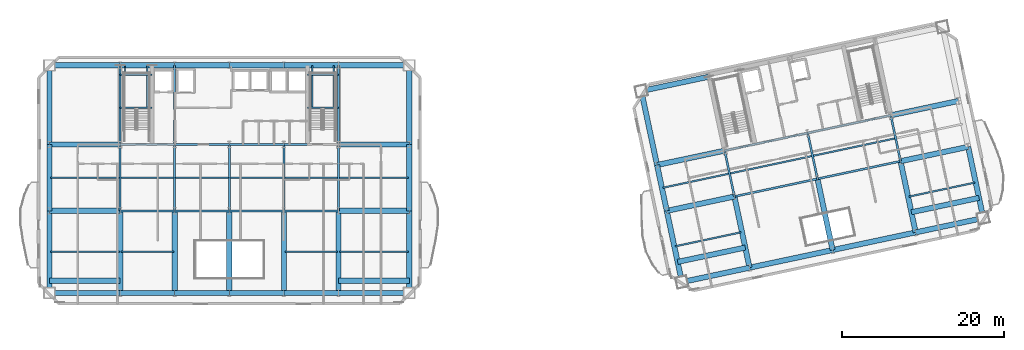
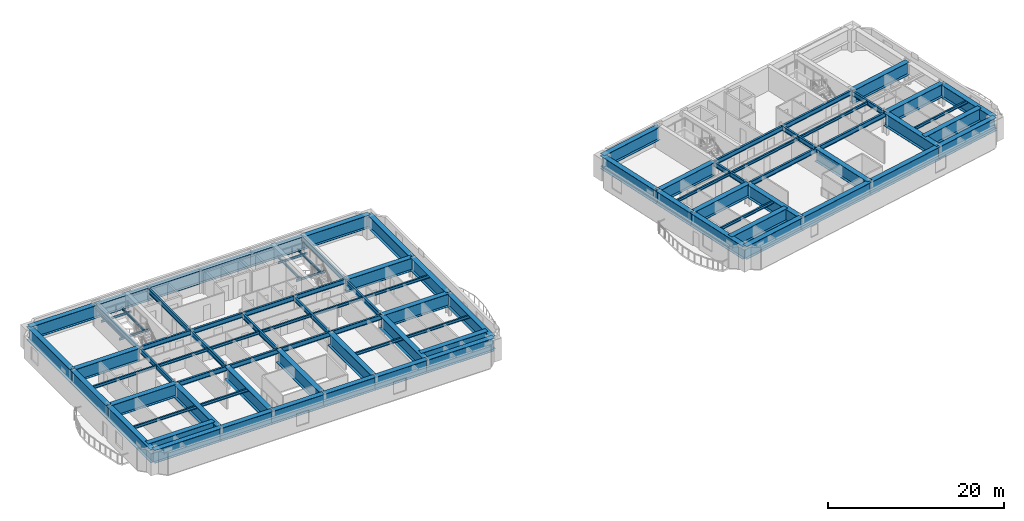
# One storey, part 3 of 15: 93 beams.
"""IFC4 building model written with IfcOpenShell, lengths in metres."""

from ifc_helpers import new_model, si_unit, direction, frame, origin, origin_2d, place, context, subcontext, project, spatial, i_section, extrude, material, material_profile, profile_set, type_object, element, save


model = new_model("IFC4")

# Units and contexts
model_context = context("Model", 3, precision=1e-05, world=origin(), true_north=direction((0.0, 1.0)))
body_context = subcontext(model_context, "Body", "Model", "MODEL_VIEW")
ifc_project = project(units=[si_unit("LENGTHUNIT", "METRE"), si_unit("AREAUNIT", "SQUARE_METRE"), si_unit("VOLUMEUNIT", "CUBIC_METRE"), si_unit("PLANEANGLEUNIT", "RADIAN"), si_unit("MASSUNIT", "GRAM", prefix="KILO")], contexts=[model_context])

# Site, building, storey
site_placement = place(None, origin())
site = spatial("IfcSite", under=ifc_project, at=site_placement, CompositionType="ELEMENT")
building_placement = place(site_placement, origin())
building = spatial("IfcBuilding", under=site, at=building_placement, Name="Haevon Station Towers", CompositionType="ELEMENT")
storey_placement = place(building_placement, frame((0.0, 0.0, 109.800048828125)))
storey = spatial("IfcBuildingStorey", under=building, at=storey_placement, Name="L29", CompositionType="ELEMENT", Elevation=109.800048828125)

# Beams
ifc_material_1 = material(Name="Steel S355", Category="steel")
ifc_material_profile_1 = material_profile(ifc_material_1, i_section(OverallWidth=0.25, OverallDepth=0.64990234375, WebThickness=0.012939453125, FlangeThickness=0.02197265625, at=origin_2d()), Name="H-650x250x13x22")
ifc_profile_set_1 = profile_set([ifc_material_profile_1], Name="Steel S355")
beam_type_1 = type_object("IfcBeamType", Name="BM-G650", PredefinedType="BEAM", material=ifc_profile_set_1)
for number, where, z_axis, x_axis, name in (
    (1, (24.0, 30.0, 2.724853515625), (1.0, 0.0, 0.0), (0.0, 1.0, 0.0), "BM-T1U-L29-02-02"),
    (2, (30.75, 30.0, 2.724853515625), (1.0, 0.0, 0.0), (0.0, 1.0, 0.0), "BM-T1U-L29-02-03"),
    (3, (37.5, 30.0, 2.724853515625), (1.0, 0.0, 0.0), (0.0, 1.0, 0.0), "BM-T1U-L29-02-04"),
    (4, (44.25, 30.0, 2.724853515625), (1.0, 0.0, 0.0), (0.0, 1.0, 0.0), "BM-T1U-L29-02-05"),
    (5, (24.0, 38.199951171875, 2.724853515625), (1.0, 0.0, 0.0), (0.0, 1.0, 0.0), "BM-T1U-L29-03-02"),
    (6, (30.75, 38.199951171875, 2.724853515625), (1.0, 0.0, 0.0), (0.0, 1.0, 0.0), "BM-T1U-L29-03-03"),
    (7, (37.5, 38.199951171875, 2.724853515625), (1.0, 0.0, 0.0), (0.0, 1.0, 0.0), "BM-T1U-L29-03-04"),
    (8, (44.25, 38.199951171875, 2.724853515625), (1.0, 0.0, 0.0), (0.0, 1.0, 0.0), "BM-T1U-L29-03-05"),
):
    element("IfcBeam", number, at=place(storey_placement, frame(where, z_axis=z_axis, x_axis=x_axis)), inside=storey, type_object=beam_type_1, Name=name, PredefinedType="BEAM", context=body_context, shape_type="SweptSolid", body=[
        extrude(i_section(OverallWidth=0.25, OverallDepth=0.64990234375, WebThickness=0.012939453125, FlangeThickness=0.02197265625, at=origin_2d()), origin(), (0.0, 0.0, 1.0), 6.75),
    ])
beam_1_placement = place(storey_placement, frame((24.0, 30.0, 2.724853515625), z_axis=(0.0, 1.0, 0.0), x_axis=(-1.0, 0.0, 0.0)))
element("IfcBeam", 9, at=beam_1_placement, inside=storey, type_object=beam_type_1, Name="BM-T1V-L29-02-02", PredefinedType="BEAM", context=body_context, shape_type="SweptSolid", body=[
    extrude(i_section(OverallWidth=0.25, OverallDepth=0.64990234375, WebThickness=0.012939453125, FlangeThickness=0.02197265625, at=origin_2d()), origin(), (0.0, 0.0, 1.0), 8.199951171875),
])
beam_2_placement = place(storey_placement, frame((24.0, 38.199951171875, 2.724853515625), z_axis=(0.0, 1.0, 0.0), x_axis=(-1.0, 0.0, 0.0)))
element("IfcBeam", 10, at=beam_2_placement, inside=storey, type_object=beam_type_1, Name="BM-T1V-L29-02-03", PredefinedType="BEAM", context=body_context, shape_type="SweptSolid", body=[
    extrude(i_section(OverallWidth=0.25, OverallDepth=0.64990234375, WebThickness=0.012939453125, FlangeThickness=0.02197265625, at=origin_2d()), origin(), (0.0, 0.0, 1.0), 9.800048828125),
])
beam_3_placement = place(storey_placement, frame((30.75, 30.0, 2.724853515625), z_axis=(0.0, 1.0, 0.0), x_axis=(-1.0, 0.0, 0.0)))
element("IfcBeam", 11, at=beam_3_placement, inside=storey, type_object=beam_type_1, Name="BM-T1V-L29-03-02", PredefinedType="BEAM", context=body_context, shape_type="SweptSolid", body=[
    extrude(i_section(OverallWidth=0.25, OverallDepth=0.64990234375, WebThickness=0.012939453125, FlangeThickness=0.02197265625, at=origin_2d()), origin(), (0.0, 0.0, 1.0), 8.199951171875),
])
beam_4_placement = place(storey_placement, frame((30.75, 38.199951171875, 2.724853515625), z_axis=(0.0, 1.0, 0.0), x_axis=(-1.0, 0.0, 0.0)))
element("IfcBeam", 12, at=beam_4_placement, inside=storey, type_object=beam_type_1, Name="BM-T1V-L29-03-03", PredefinedType="BEAM", context=body_context, shape_type="SweptSolid", body=[
    extrude(i_section(OverallWidth=0.25, OverallDepth=0.64990234375, WebThickness=0.012939453125, FlangeThickness=0.02197265625, at=origin_2d()), origin(), (0.0, 0.0, 1.0), 9.800048828125),
])
for number, where, z_axis, x_axis, name in (
    (13, (37.5, 30.0, 2.724853515625), (0.0, 1.0, 0.0), (-1.0, 0.0, 0.0), "BM-T1V-L29-04-02"),
    (14, (44.25, 30.0, 2.724853515625), (0.0, 1.0, 0.0), (-1.0, 0.0, 0.0), "BM-T1V-L29-05-02"),
    (15, (51.0, 30.0, 2.724853515625), (0.0, 1.0, 0.0), (-1.0, 0.0, 0.0), "BM-T1V-L29-06-02"),
):
    element("IfcBeam", number, at=place(storey_placement, frame(where, z_axis=z_axis, x_axis=x_axis)), inside=storey, type_object=beam_type_1, Name=name, PredefinedType="BEAM", context=body_context, shape_type="SweptSolid", body=[
        extrude(i_section(OverallWidth=0.25, OverallDepth=0.64990234375, WebThickness=0.012939453125, FlangeThickness=0.02197265625, at=origin_2d()), origin(), (0.0, 0.0, 1.0), 8.199951171875),
    ])
beam_5_placement = place(storey_placement, frame((51.0, 38.199951171875, 2.724853515625), z_axis=(0.0, 1.0, 0.0), x_axis=(-1.0, 0.0, 0.0)))
element("IfcBeam", 16, at=beam_5_placement, inside=storey, type_object=beam_type_1, Name="BM-T1V-L29-06-03", PredefinedType="BEAM", context=body_context, shape_type="SweptSolid", body=[
    extrude(i_section(OverallWidth=0.25, OverallDepth=0.64990234375, WebThickness=0.012939453125, FlangeThickness=0.02197265625, at=origin_2d()), origin(), (0.0, 0.0, 1.0), 9.800048828125),
])
for number, where, z_axis, x_axis, name in (
    (17, (99.958251953125, 31.76904296875, 2.724853515625), (0.978146794194, 0.207915485254, 0.0), (-0.207915485254, 0.978146794194, 0.0), "BM-T2U-L29-02-02"),
    (18, (110.228759765625, 33.9521484375, 2.724853515625), (0.978146794194, 0.207915485254, 0.0), (-0.207915485254, 0.978146794194, 0.0), "BM-T2U-L29-02-03"),
    (19, (98.75244140625, 37.4423828125, 2.724853515625), (0.978146794194, 0.207915485254, 0.0), (-0.207915485254, 0.978146794194, 0.0), "BM-T2U-L29-03-02"),
    (20, (109.02294921875, 39.62548828125, 2.724853515625), (0.978146794194, 0.207915485254, 0.0), (-0.207915485254, 0.978146794194, 0.0), "BM-T2U-L29-03-03"),
):
    element("IfcBeam", number, at=place(storey_placement, frame(where, z_axis=z_axis, x_axis=x_axis)), inside=storey, type_object=beam_type_1, Name=name, PredefinedType="BEAM", context=body_context, shape_type="SweptSolid", body=[
        extrude(i_section(OverallWidth=0.25, OverallDepth=0.64990234375, WebThickness=0.012939453125, FlangeThickness=0.02197265625, at=origin_2d()), origin(), (0.0, 0.0, 1.0), 10.5),
    ])
for number, where, z_axis, x_axis, name in (
    (21, (99.958251953125, 31.76904296875, 2.724853515625), (-0.207896009217, 0.97815093383, 0.0), (-0.97815093383, -0.207896009217, 0.0), "BM-T2V-L29-02-02"),
    (22, (110.228759765625, 33.9521484375, 2.724853515625), (-0.207896009217, 0.97815093383, 0.0), (-0.97815093383, -0.207896009217, 0.0), "BM-T2V-L29-03-02"),
    (23, (120.499267578125, 36.13525390625, 2.724853515625), (-0.207896009217, 0.97815093383, 0.0), (-0.97815093383, -0.207896009217, 0.0), "BM-T2V-L29-04-02"),
):
    element("IfcBeam", number, at=place(storey_placement, frame(where, z_axis=z_axis, x_axis=x_axis)), inside=storey, type_object=beam_type_1, Name=name, PredefinedType="BEAM", context=body_context, shape_type="SweptSolid", body=[
        extrude(i_section(OverallWidth=0.25, OverallDepth=0.64990234375, WebThickness=0.012939453125, FlangeThickness=0.02197265625, at=origin_2d()), origin(), (0.0, 0.0, 1.0), 5.800048828125),
    ])
ifc_material_profile_2 = material_profile(ifc_material_1, i_section(OverallWidth=0.199951171875, OverallDepth=0.39990234375, WebThickness=0.008056640625, FlangeThickness=0.012939453125, at=origin_2d()), Name="H-400x200x8x13")
ifc_profile_set_2 = profile_set([ifc_material_profile_2], Name="Steel S355")
beam_type_2 = type_object("IfcBeamType", Name="BM-J400", PredefinedType="JOIST", material=ifc_profile_set_2)
beam_6_placement = place(storey_placement, frame((15.360107421875, 24.925048828125, 2.849853515625), z_axis=(1.0, 0.0, 0.0), x_axis=(0.0, 1.0, 0.0)))
element("IfcBeam", 24, at=beam_6_placement, inside=storey, type_object=beam_type_2, Name="BM-T1J-L29-01-01", PredefinedType="JOIST", context=body_context, shape_type="SweptSolid", body=[
    extrude(i_section(OverallWidth=0.199951171875, OverallDepth=0.39990234375, WebThickness=0.008056640625, FlangeThickness=0.012939453125, at=origin_2d()), origin(), (0.0, 0.0, 1.0), 8.52978515625),
])
for number, where, z_axis, x_axis, name in (
    (25, (24.110107421875, 24.925048828125, 2.849853515625), (1.0, 0.0, 0.0), (0.0, 1.0, 0.0), "BM-T1J-L29-01-02"),
    (26, (44.360107421875, 24.925048828125, 2.849853515625), (1.0, 0.0, 0.0), (0.0, 1.0, 0.0), "BM-T1J-L29-01-05"),
):
    element("IfcBeam", number, at=place(storey_placement, frame(where, z_axis=z_axis, x_axis=x_axis)), inside=storey, type_object=beam_type_2, Name=name, PredefinedType="JOIST", context=body_context, shape_type="SweptSolid", body=[
        extrude(i_section(OverallWidth=0.199951171875, OverallDepth=0.39990234375, WebThickness=0.008056640625, FlangeThickness=0.012939453125, at=origin_2d()), origin(), (0.0, 0.0, 1.0), 6.52978515625),
    ])
for number, where, z_axis, x_axis, name in (
    (27, (51.110107421875, 24.925048828125, 2.849853515625), (1.0, 0.0, 0.0), (0.0, 1.0, 0.0), "BM-T1J-L29-01-06"),
    (28, (15.360107421875, 34.10009765625, 2.849853515625), (1.0, 0.0, 0.0), (0.0, 1.0, 0.0), "BM-T1J-L29-02-01"),
):
    element("IfcBeam", number, at=place(storey_placement, frame(where, z_axis=z_axis, x_axis=x_axis)), inside=storey, type_object=beam_type_2, Name=name, PredefinedType="JOIST", context=body_context, shape_type="SweptSolid", body=[
        extrude(i_section(OverallWidth=0.199951171875, OverallDepth=0.39990234375, WebThickness=0.008056640625, FlangeThickness=0.012939453125, at=origin_2d()), origin(), (0.0, 0.0, 1.0), 8.52978515625),
    ])
for number, where, z_axis, x_axis, name in (
    (29, (24.110107421875, 34.10009765625, 2.849853515625), (1.0, 0.0, 0.0), (0.0, 1.0, 0.0), "BM-T1J-L29-02-02"),
    (30, (30.860107421875, 34.10009765625, 2.849853515625), (1.0, 0.0, 0.0), (0.0, 1.0, 0.0), "BM-T1J-L29-02-03"),
    (31, (37.610107421875, 34.10009765625, 2.849853515625), (1.0, 0.0, 0.0), (0.0, 1.0, 0.0), "BM-T1J-L29-02-04"),
    (32, (44.360107421875, 34.10009765625, 2.849853515625), (1.0, 0.0, 0.0), (0.0, 1.0, 0.0), "BM-T1J-L29-02-05"),
):
    element("IfcBeam", number, at=place(storey_placement, frame(where, z_axis=z_axis, x_axis=x_axis)), inside=storey, type_object=beam_type_2, Name=name, PredefinedType="JOIST", context=body_context, shape_type="SweptSolid", body=[
        extrude(i_section(OverallWidth=0.199951171875, OverallDepth=0.39990234375, WebThickness=0.008056640625, FlangeThickness=0.012939453125, at=origin_2d()), origin(), (0.0, 0.0, 1.0), 6.52978515625),
    ])
beam_7_placement = place(storey_placement, frame((51.110107421875, 34.10009765625, 2.849853515625), z_axis=(1.0, 0.0, 0.0), x_axis=(0.0, 1.0, 0.0)))
element("IfcBeam", 33, at=beam_7_placement, inside=storey, type_object=beam_type_2, Name="BM-T1J-L29-02-06", PredefinedType="JOIST", context=body_context, shape_type="SweptSolid", body=[
    extrude(i_section(OverallWidth=0.199951171875, OverallDepth=0.39990234375, WebThickness=0.008056640625, FlangeThickness=0.012939453125, at=origin_2d()), origin(), (0.0, 0.0, 1.0), 8.52978515625),
])
for number, where, z_axis, x_axis, name in (
    (34, (92.63818359375, 25.61279296875, 2.849853515625), (0.978146782292, 0.207915541247, 0.0), (-0.207915541247, 0.978146782292, 0.0), "BM-T2J-L29-01-01"),
    (35, (121.54248046875, 31.756591796875, 2.849853515625), (0.978146782292, 0.207915541247, 0.0), (-0.207915541247, 0.978146782292, 0.0), "BM-T2J-L29-01-04"),
):
    element("IfcBeam", number, at=place(storey_placement, frame(where, z_axis=z_axis, x_axis=x_axis)), inside=storey, type_object=beam_type_2, Name=name, PredefinedType="JOIST", context=body_context, shape_type="SweptSolid", body=[
        extrude(i_section(OverallWidth=0.199951171875, OverallDepth=0.39990234375, WebThickness=0.008056640625, FlangeThickness=0.012939453125, at=origin_2d()), origin(), (0.0, 0.0, 1.0), 8.330078125),
    ])
beam_8_placement = place(storey_placement, frame((91.099609375, 32.85107421875, 2.849853515625), z_axis=(0.978148049217, 0.207909580858, 0.0), x_axis=(-0.207909580858, 0.978148049217, 0.0)))
element("IfcBeam", 36, at=beam_8_placement, inside=storey, type_object=beam_type_2, Name="BM-T2J-L29-02-01", PredefinedType="JOIST", context=body_context, shape_type="SweptSolid", body=[
    extrude(i_section(OverallWidth=0.199951171875, OverallDepth=0.39990234375, WebThickness=0.008056640625, FlangeThickness=0.012939453125, at=origin_2d()), origin(), (0.0, 0.0, 1.0), 8.330322265625),
])
for number, where, z_axis, x_axis, name in (
    (37, (99.462890625, 34.628662109375, 2.849853515625), (0.978150339653, 0.207898804801, 0.0), (-0.207898804801, 0.978150339653, 0.0), "BM-T2J-L29-02-02"),
    (38, (109.7333984375, 36.811767578125, 2.849853515625), (0.978150339653, 0.207898804801, 0.0), (-0.207898804801, 0.978150339653, 0.0), "BM-T2J-L29-02-03"),
):
    element("IfcBeam", number, at=place(storey_placement, frame(where, z_axis=z_axis, x_axis=x_axis)), inside=storey, type_object=beam_type_2, Name=name, PredefinedType="JOIST", context=body_context, shape_type="SweptSolid", body=[
        extrude(i_section(OverallWidth=0.199951171875, OverallDepth=0.39990234375, WebThickness=0.008056640625, FlangeThickness=0.012939453125, at=origin_2d()), origin(), (0.0, 0.0, 1.0), 10.280029296875),
    ])
ifc_material_profile_3 = material_profile(ifc_material_1, i_section(OverallWidth=0.14990234375, OverallDepth=0.300048828125, WebThickness=0.006591796875, FlangeThickness=0.009033203125, at=origin_2d()), Name="H-300x150x6.5x9")
ifc_profile_set_3 = profile_set([ifc_material_profile_3], Name="Steel S355")
beam_type_3 = type_object("IfcBeamType", Name="BM-LIN300", PredefinedType="LINTEL", material=ifc_profile_set_3)
for number, where, z_axis, x_axis, name in (
    (39, (24.0, 42.743896484375, 1.300048828125), (1.0, 0.0, 0.0), (0.0, 1.0, 0.0), "BM-ST1L-L29-1-S"),
    (40, (24.0, 46.820068359375, 1.300048828125), (1.0, 0.0, 0.0), (0.0, 1.0, 0.0), "BM-ST1L-L29-1-N"),
):
    element("IfcBeam", number, at=place(storey_placement, frame(where, z_axis=z_axis, x_axis=x_axis)), inside=storey, type_object=beam_type_3, Name=name, PredefinedType="LINTEL", context=body_context, shape_type="SweptSolid", body=[
        extrude(i_section(OverallWidth=0.14990234375, OverallDepth=0.300048828125, WebThickness=0.006591796875, FlangeThickness=0.009033203125, at=origin_2d()), origin(), (0.0, 0.0, 1.0), 3.949951171875),
    ])
for number, where, z_axis, x_axis, name in (
    (41, (24.60009765625, 42.743896484375, 1.300048828125), (0.0, 1.0, 0.0), (-1.0, 0.0, 0.0), "BM-ST1L-L29-1-W"),
    (42, (27.35009765625, 42.743896484375, 1.300048828125), (0.0, 1.0, 0.0), (-1.0, 0.0, 0.0), "BM-ST1L-L29-1-E"),
):
    element("IfcBeam", number, at=place(storey_placement, frame(where, z_axis=z_axis, x_axis=x_axis)), inside=storey, type_object=beam_type_3, Name=name, PredefinedType="LINTEL", context=body_context, shape_type="SweptSolid", body=[
        extrude(i_section(OverallWidth=0.14990234375, OverallDepth=0.300048828125, WebThickness=0.006591796875, FlangeThickness=0.009033203125, at=origin_2d()), origin(), (0.0, 0.0, 1.0), 5.256103515625),
    ])
for number, where, z_axis, x_axis, name in (
    (43, (47.14990234375, 42.743896484375, 1.300048828125), (1.0, 0.0, 0.0), (0.0, 1.0, 0.0), "BM-ST2L-L29-1-S"),
    (44, (47.14990234375, 46.820068359375, 1.300048828125), (1.0, 0.0, 0.0), (0.0, 1.0, 0.0), "BM-ST2L-L29-1-N"),
):
    element("IfcBeam", number, at=place(storey_placement, frame(where, z_axis=z_axis, x_axis=x_axis)), inside=storey, type_object=beam_type_3, Name=name, PredefinedType="LINTEL", context=body_context, shape_type="SweptSolid", body=[
        extrude(i_section(OverallWidth=0.14990234375, OverallDepth=0.300048828125, WebThickness=0.006591796875, FlangeThickness=0.009033203125, at=origin_2d()), origin(), (0.0, 0.0, 1.0), 3.85009765625),
    ])
for number, where, z_axis, x_axis, name in (
    (45, (47.75, 42.743896484375, 1.300048828125), (0.0, 1.0, 0.0), (-1.0, 0.0, 0.0), "BM-ST2L-L29-1-W"),
    (46, (50.39990234375, 42.743896484375, 1.300048828125), (0.0, 1.0, 0.0), (-1.0, 0.0, 0.0), "BM-ST2L-L29-1-E"),
):
    element("IfcBeam", number, at=place(storey_placement, frame(where, z_axis=z_axis, x_axis=x_axis)), inside=storey, type_object=beam_type_3, Name=name, PredefinedType="LINTEL", context=body_context, shape_type="SweptSolid", body=[
        extrude(i_section(OverallWidth=0.14990234375, OverallDepth=0.300048828125, WebThickness=0.006591796875, FlangeThickness=0.009033203125, at=origin_2d()), origin(), (0.0, 0.0, 1.0), 5.256103515625),
    ])
ifc_material_2 = material(Name="Steel S460", Category="steel")
ifc_material_profile_4 = material_profile(ifc_material_2, i_section(OverallWidth=0.64990234375, OverallDepth=1.800048828125, WebThickness=0.02490234375, FlangeThickness=0.0400390625, at=origin_2d()), Name="H-1800x650x25x40")
ifc_profile_set_4 = profile_set([ifc_material_profile_4], Name="Steel S460")
beam_type_4 = type_object("IfcBeamType", Name="BM-TG1800", PredefinedType="BEAM", material=ifc_profile_set_4)
beam_9_placement = place(storey_placement, frame((15.25, 19.85009765625, 2.14990234375), z_axis=(1.0, 0.0, 0.0), x_axis=(0.0, 1.0, 0.0)))
element("IfcBeam", 47, at=beam_9_placement, inside=storey, type_object=beam_type_4, Name="BM-T1U-L29-01-01", PredefinedType="BEAM", context=body_context, shape_type="SweptSolid", body=[
    extrude(i_section(OverallWidth=0.64990234375, OverallDepth=1.800048828125, WebThickness=0.02490234375, FlangeThickness=0.0400390625, at=origin_2d()), origin(), (0.0, 0.0, 1.0), 8.75),
])
for number, where, z_axis, x_axis, name in (
    (48, (24.0, 19.85009765625, 2.14990234375), (1.0, 0.0, 0.0), (0.0, 1.0, 0.0), "BM-T1U-L29-01-02"),
    (49, (30.75, 19.85009765625, 2.14990234375), (1.0, 0.0, 0.0), (0.0, 1.0, 0.0), "BM-T1U-L29-01-03"),
    (50, (37.5, 19.85009765625, 2.14990234375), (1.0, 0.0, 0.0), (0.0, 1.0, 0.0), "BM-T1U-L29-01-04"),
    (51, (44.25, 19.85009765625, 2.14990234375), (1.0, 0.0, 0.0), (0.0, 1.0, 0.0), "BM-T1U-L29-01-05"),
):
    element("IfcBeam", number, at=place(storey_placement, frame(where, z_axis=z_axis, x_axis=x_axis)), inside=storey, type_object=beam_type_4, Name=name, PredefinedType="BEAM", context=body_context, shape_type="SweptSolid", body=[
        extrude(i_section(OverallWidth=0.64990234375, OverallDepth=1.800048828125, WebThickness=0.02490234375, FlangeThickness=0.0400390625, at=origin_2d()), origin(), (0.0, 0.0, 1.0), 6.75),
    ])
for number, where, z_axis, x_axis, name in (
    (52, (51.0, 19.85009765625, 2.14990234375), (1.0, 0.0, 0.0), (0.0, 1.0, 0.0), "BM-T1U-L29-01-06"),
    (53, (15.25, 30.0, 2.14990234375), (1.0, 0.0, 0.0), (0.0, 1.0, 0.0), "BM-T1U-L29-02-01"),
    (54, (51.0, 30.0, 2.14990234375), (1.0, 0.0, 0.0), (0.0, 1.0, 0.0), "BM-T1U-L29-02-06"),
    (55, (15.25, 38.199951171875, 2.14990234375), (1.0, 0.0, 0.0), (0.0, 1.0, 0.0), "BM-T1U-L29-03-01"),
    (56, (51.0, 38.199951171875, 2.14990234375), (1.0, 0.0, 0.0), (0.0, 1.0, 0.0), "BM-T1U-L29-03-06"),
    (57, (15.25, 48.0, 2.14990234375), (1.0, 0.0, 0.0), (0.0, 1.0, 0.0), "BM-T1U-L29-04-01"),
):
    element("IfcBeam", number, at=place(storey_placement, frame(where, z_axis=z_axis, x_axis=x_axis)), inside=storey, type_object=beam_type_4, Name=name, PredefinedType="BEAM", context=body_context, shape_type="SweptSolid", body=[
        extrude(i_section(OverallWidth=0.64990234375, OverallDepth=1.800048828125, WebThickness=0.02490234375, FlangeThickness=0.0400390625, at=origin_2d()), origin(), (0.0, 0.0, 1.0), 8.75),
    ])
for number, where, z_axis, x_axis, name in (
    (58, (24.0, 48.0, 2.14990234375), (1.0, 0.0, 0.0), (0.0, 1.0, 0.0), "BM-T1U-L29-04-02"),
    (59, (30.75, 48.0, 2.14990234375), (1.0, 0.0, 0.0), (0.0, 1.0, 0.0), "BM-T1U-L29-04-03"),
    (60, (37.5, 48.0, 2.14990234375), (1.0, 0.0, 0.0), (0.0, 1.0, 0.0), "BM-T1U-L29-04-04"),
    (61, (44.25, 48.0, 2.14990234375), (1.0, 0.0, 0.0), (0.0, 1.0, 0.0), "BM-T1U-L29-04-05"),
):
    element("IfcBeam", number, at=place(storey_placement, frame(where, z_axis=z_axis, x_axis=x_axis)), inside=storey, type_object=beam_type_4, Name=name, PredefinedType="BEAM", context=body_context, shape_type="SweptSolid", body=[
        extrude(i_section(OverallWidth=0.64990234375, OverallDepth=1.800048828125, WebThickness=0.02490234375, FlangeThickness=0.0400390625, at=origin_2d()), origin(), (0.0, 0.0, 1.0), 6.75),
    ])
beam_10_placement = place(storey_placement, frame((51.0, 48.0, 2.14990234375), z_axis=(1.0, 0.0, 0.0), x_axis=(0.0, 1.0, 0.0)))
element("IfcBeam", 62, at=beam_10_placement, inside=storey, type_object=beam_type_4, Name="BM-T1U-L29-04-06", PredefinedType="BEAM", context=body_context, shape_type="SweptSolid", body=[
    extrude(i_section(OverallWidth=0.64990234375, OverallDepth=1.800048828125, WebThickness=0.02490234375, FlangeThickness=0.0400390625, at=origin_2d()), origin(), (0.0, 0.0, 1.0), 8.75),
])
beam_11_placement = place(storey_placement, frame((15.25, 19.85009765625, 2.14990234375), z_axis=(0.0, 1.0, 0.0), x_axis=(-1.0, 0.0, 0.0)))
element("IfcBeam", 63, at=beam_11_placement, inside=storey, type_object=beam_type_4, Name="BM-T1V-L29-01-01", PredefinedType="BEAM", context=body_context, shape_type="SweptSolid", body=[
    extrude(i_section(OverallWidth=0.64990234375, OverallDepth=1.800048828125, WebThickness=0.02490234375, FlangeThickness=0.0400390625, at=origin_2d()), origin(), (0.0, 0.0, 1.0), 10.14990234375),
])
beam_12_placement = place(storey_placement, frame((15.25, 30.0, 2.14990234375), z_axis=(0.0, 1.0, 0.0), x_axis=(-1.0, 0.0, 0.0)))
element("IfcBeam", 64, at=beam_12_placement, inside=storey, type_object=beam_type_4, Name="BM-T1V-L29-01-02", PredefinedType="BEAM", context=body_context, shape_type="SweptSolid", body=[
    extrude(i_section(OverallWidth=0.64990234375, OverallDepth=1.800048828125, WebThickness=0.02490234375, FlangeThickness=0.0400390625, at=origin_2d()), origin(), (0.0, 0.0, 1.0), 8.199951171875),
])
beam_13_placement = place(storey_placement, frame((15.25, 38.199951171875, 2.14990234375), z_axis=(0.0, 1.0, 0.0), x_axis=(-1.0, 0.0, 0.0)))
element("IfcBeam", 65, at=beam_13_placement, inside=storey, type_object=beam_type_4, Name="BM-T1V-L29-01-03", PredefinedType="BEAM", context=body_context, shape_type="SweptSolid", body=[
    extrude(i_section(OverallWidth=0.64990234375, OverallDepth=1.800048828125, WebThickness=0.02490234375, FlangeThickness=0.0400390625, at=origin_2d()), origin(), (0.0, 0.0, 1.0), 9.800048828125),
])
for number, where, z_axis, x_axis, name in (
    (66, (24.0, 19.85009765625, 2.14990234375), (0.0, 1.0, 0.0), (-1.0, 0.0, 0.0), "BM-T1V-L29-02-01"),
    (67, (30.75, 19.85009765625, 2.14990234375), (0.0, 1.0, 0.0), (-1.0, 0.0, 0.0), "BM-T1V-L29-03-01"),
    (68, (37.5, 19.85009765625, 2.14990234375), (0.0, 1.0, 0.0), (-1.0, 0.0, 0.0), "BM-T1V-L29-04-01"),
    (69, (44.25, 19.85009765625, 2.14990234375), (0.0, 1.0, 0.0), (-1.0, 0.0, 0.0), "BM-T1V-L29-05-01"),
    (70, (51.0, 19.85009765625, 2.14990234375), (0.0, 1.0, 0.0), (-1.0, 0.0, 0.0), "BM-T1V-L29-06-01"),
    (71, (59.75, 19.85009765625, 2.14990234375), (0.0, 1.0, 0.0), (-1.0, 0.0, 0.0), "BM-T1V-L29-07-01"),
):
    element("IfcBeam", number, at=place(storey_placement, frame(where, z_axis=z_axis, x_axis=x_axis)), inside=storey, type_object=beam_type_4, Name=name, PredefinedType="BEAM", context=body_context, shape_type="SweptSolid", body=[
        extrude(i_section(OverallWidth=0.64990234375, OverallDepth=1.800048828125, WebThickness=0.02490234375, FlangeThickness=0.0400390625, at=origin_2d()), origin(), (0.0, 0.0, 1.0), 10.14990234375),
    ])
beam_14_placement = place(storey_placement, frame((59.75, 30.0, 2.14990234375), z_axis=(0.0, 1.0, 0.0), x_axis=(-1.0, 0.0, 0.0)))
element("IfcBeam", 72, at=beam_14_placement, inside=storey, type_object=beam_type_4, Name="BM-T1V-L29-07-02", PredefinedType="BEAM", context=body_context, shape_type="SweptSolid", body=[
    extrude(i_section(OverallWidth=0.64990234375, OverallDepth=1.800048828125, WebThickness=0.02490234375, FlangeThickness=0.0400390625, at=origin_2d()), origin(), (0.0, 0.0, 1.0), 8.199951171875),
])
beam_15_placement = place(storey_placement, frame((59.75, 38.199951171875, 2.14990234375), z_axis=(0.0, 1.0, 0.0), x_axis=(-1.0, 0.0, 0.0)))
element("IfcBeam", 73, at=beam_15_placement, inside=storey, type_object=beam_type_4, Name="BM-T1V-L29-07-03", PredefinedType="BEAM", context=body_context, shape_type="SweptSolid", body=[
    extrude(i_section(OverallWidth=0.64990234375, OverallDepth=1.800048828125, WebThickness=0.02490234375, FlangeThickness=0.0400390625, at=origin_2d()), origin(), (0.0, 0.0, 1.0), 9.800048828125),
])
for number, where, z_axis, x_axis, name in (
    (74, (15.25, 21.35009765625, 2.14990234375), (1.0, 0.0, 0.0), (0.0, 1.0, 0.0), "BM-T1CTRN-L29-1"),
    (75, (51.0, 21.35009765625, 2.14990234375), (1.0, 0.0, 0.0), (0.0, 1.0, 0.0), "BM-T1CTRN-L29-2"),
):
    element("IfcBeam", number, at=place(storey_placement, frame(where, z_axis=z_axis, x_axis=x_axis)), inside=storey, type_object=beam_type_4, Name=name, PredefinedType="BEAM", context=body_context, shape_type="SweptSolid", body=[
        extrude(i_section(OverallWidth=0.64990234375, OverallDepth=1.800048828125, WebThickness=0.02490234375, FlangeThickness=0.0400390625, at=origin_2d()), origin(), (0.0, 0.0, 1.0), 8.75),
    ])
beam_16_placement = place(storey_placement, frame((93.46630859375, 21.188232421875, 2.14990234375), z_axis=(0.978148326739, 0.2079082752, 0.0), x_axis=(-0.2079082752, 0.978148326739, 0.0)))
element("IfcBeam", 76, at=beam_16_placement, inside=storey, type_object=beam_type_4, Name="BM-T2U-L29-01-01", PredefinedType="BEAM", context=body_context, shape_type="SweptSolid", body=[
    extrude(i_section(OverallWidth=0.64990234375, OverallDepth=1.800048828125, WebThickness=0.02490234375, FlangeThickness=0.0400390625, at=origin_2d()), origin(), (0.0, 0.0, 1.0), 8.5498046875),
])
beam_17_placement = place(storey_placement, frame((101.829345703125, 22.9658203125, 2.14990234375), z_axis=(0.978147799298, 0.207910756646, 0.0), x_axis=(-0.207910756646, 0.978147799298, 0.0)))
element("IfcBeam", 77, at=beam_17_placement, inside=storey, type_object=beam_type_4, Name="BM-T2U-L29-01-02", PredefinedType="BEAM", context=body_context, shape_type="SweptSolid", body=[
    extrude(i_section(OverallWidth=0.64990234375, OverallDepth=1.800048828125, WebThickness=0.02490234375, FlangeThickness=0.0400390625, at=origin_2d()), origin(), (0.0, 0.0, 1.0), 10.500244140625),
])
beam_18_placement = place(storey_placement, frame((112.10009765625, 25.14892578125, 2.14990234375), z_axis=(0.978146794194, 0.207915485254, 0.0), x_axis=(-0.207915485254, 0.978146794194, 0.0)))
element("IfcBeam", 78, at=beam_18_placement, inside=storey, type_object=beam_type_4, Name="BM-T2U-L29-01-03", PredefinedType="BEAM", context=body_context, shape_type="SweptSolid", body=[
    extrude(i_section(OverallWidth=0.64990234375, OverallDepth=1.800048828125, WebThickness=0.02490234375, FlangeThickness=0.0400390625, at=origin_2d()), origin(), (0.0, 0.0, 1.0), 10.5),
])
beam_19_placement = place(storey_placement, frame((122.37060546875, 27.33203125, 2.14990234375), z_axis=(0.978148326739, 0.2079082752, 0.0), x_axis=(-0.2079082752, 0.978148326739, 0.0)))
element("IfcBeam", 79, at=beam_19_placement, inside=storey, type_object=beam_type_4, Name="BM-T2U-L29-01-04", PredefinedType="BEAM", context=body_context, shape_type="SweptSolid", body=[
    extrude(i_section(OverallWidth=0.64990234375, OverallDepth=1.800048828125, WebThickness=0.02490234375, FlangeThickness=0.0400390625, at=origin_2d()), origin(), (0.0, 0.0, 1.0), 8.5498046875),
])
for number, where, z_axis, x_axis, name in (
    (80, (91.594970703125, 29.991455078125, 2.14990234375), (0.978149560998, 0.207902468287, 0.0), (-0.207902468287, 0.978149560998, 0.0), "BM-T2U-L29-02-01"),
    (81, (120.499267578125, 36.13525390625, 2.14990234375), (0.978149560998, 0.207902468287, 0.0), (-0.207902468287, 0.978149560998, 0.0), "BM-T2U-L29-02-04"),
    (82, (90.38916015625, 35.664794921875, 2.14990234375), (0.978149560998, 0.207902468287, 0.0), (-0.207902468287, 0.978149560998, 0.0), "BM-T2U-L29-03-01"),
):
    element("IfcBeam", number, at=place(storey_placement, frame(where, z_axis=z_axis, x_axis=x_axis)), inside=storey, type_object=beam_type_4, Name=name, PredefinedType="BEAM", context=body_context, shape_type="SweptSolid", body=[
        extrude(i_section(OverallWidth=0.64990234375, OverallDepth=1.800048828125, WebThickness=0.02490234375, FlangeThickness=0.0400390625, at=origin_2d()), origin(), (0.0, 0.0, 1.0), 8.550048828125),
    ])
for number, where, z_axis, x_axis, name in (
    (83, (119.29345703125, 41.80859375, 2.14990234375), (0.978148326739, 0.2079082752, 0.0), (-0.2079082752, 0.978148326739, 0.0), "BM-T2U-L29-03-04"),
    (84, (88.4453125, 44.810546875, 2.14990234375), (0.978148326739, 0.2079082752, 0.0), (-0.2079082752, 0.978148326739, 0.0), "BM-T2U-L29-04-01"),
):
    element("IfcBeam", number, at=place(storey_placement, frame(where, z_axis=z_axis, x_axis=x_axis)), inside=storey, type_object=beam_type_4, Name=name, PredefinedType="BEAM", context=body_context, shape_type="SweptSolid", body=[
        extrude(i_section(OverallWidth=0.64990234375, OverallDepth=1.800048828125, WebThickness=0.02490234375, FlangeThickness=0.0400390625, at=origin_2d()), origin(), (0.0, 0.0, 1.0), 8.5498046875),
    ])
beam_20_placement = place(storey_placement, frame((93.46630859375, 21.188232421875, 2.14990234375), z_axis=(-0.207928184753, 0.978144094694, 0.0), x_axis=(-0.978144094694, -0.207928184753, 0.0)))
element("IfcBeam", 85, at=beam_20_placement, inside=storey, type_object=beam_type_4, Name="BM-T2V-L29-01-01", PredefinedType="BEAM", context=body_context, shape_type="SweptSolid", body=[
    extrude(i_section(OverallWidth=0.64990234375, OverallDepth=1.800048828125, WebThickness=0.02490234375, FlangeThickness=0.0400390625, at=origin_2d()), origin(), (0.0, 0.0, 1.0), 9.0),
])
beam_21_placement = place(storey_placement, frame((91.594970703125, 29.991455078125, 2.14990234375), z_axis=(-0.207896009217, 0.97815093383, 0.0), x_axis=(-0.97815093383, -0.207896009217, 0.0)))
element("IfcBeam", 86, at=beam_21_placement, inside=storey, type_object=beam_type_4, Name="BM-T2V-L29-01-02", PredefinedType="BEAM", context=body_context, shape_type="SweptSolid", body=[
    extrude(i_section(OverallWidth=0.64990234375, OverallDepth=1.800048828125, WebThickness=0.02490234375, FlangeThickness=0.0400390625, at=origin_2d()), origin(), (0.0, 0.0, 1.0), 5.800048828125),
])
beam_22_placement = place(storey_placement, frame((90.38916015625, 35.664794921875, 2.14990234375), z_axis=(-0.207897167074, 0.978150687738, 0.0), x_axis=(-0.978150687738, -0.207897167074, 0.0)))
element("IfcBeam", 87, at=beam_22_placement, inside=storey, type_object=beam_type_4, Name="BM-T2V-L29-01-03", PredefinedType="BEAM", context=body_context, shape_type="SweptSolid", body=[
    extrude(i_section(OverallWidth=0.64990234375, OverallDepth=1.800048828125, WebThickness=0.02490234375, FlangeThickness=0.0400390625, at=origin_2d()), origin(), (0.0, 0.0, 1.0), 9.35009765625),
])
beam_23_placement = place(storey_placement, frame((101.829345703125, 22.9658203125, 2.14990234375), z_axis=(-0.20790223038, 0.978149611564, 0.0), x_axis=(-0.978149611564, -0.20790223038, 0.0)))
element("IfcBeam", 88, at=beam_23_placement, inside=storey, type_object=beam_type_4, Name="BM-T2V-L29-02-01", PredefinedType="BEAM", context=body_context, shape_type="SweptSolid", body=[
    extrude(i_section(OverallWidth=0.64990234375, OverallDepth=1.800048828125, WebThickness=0.02490234375, FlangeThickness=0.0400390625, at=origin_2d()), origin(), (0.0, 0.0, 1.0), 8.999755859375),
])
for number, where, z_axis, x_axis, name in (
    (89, (112.10009765625, 25.14892578125, 2.14990234375), (-0.207928184753, 0.978144094694, 0.0), (-0.978144094694, -0.207928184753, 0.0), "BM-T2V-L29-03-01"),
    (90, (122.37060546875, 27.33203125, 2.14990234375), (-0.207928184753, 0.978144094694, 0.0), (-0.978144094694, -0.207928184753, 0.0), "BM-T2V-L29-04-01"),
):
    element("IfcBeam", number, at=place(storey_placement, frame(where, z_axis=z_axis, x_axis=x_axis)), inside=storey, type_object=beam_type_4, Name=name, PredefinedType="BEAM", context=body_context, shape_type="SweptSolid", body=[
        extrude(i_section(OverallWidth=0.64990234375, OverallDepth=1.800048828125, WebThickness=0.02490234375, FlangeThickness=0.0400390625, at=origin_2d()), origin(), (0.0, 0.0, 1.0), 9.0),
    ])
beam_24_placement = place(storey_placement, frame((130.733642578125, 29.109619140625, 2.14990234375), z_axis=(-0.20790223038, 0.978149611564, 0.0), x_axis=(-0.978149611564, -0.20790223038, 0.0)))
element("IfcBeam", 91, at=beam_24_placement, inside=storey, type_object=beam_type_4, Name="BM-T2V-L29-05-01", PredefinedType="BEAM", context=body_context, shape_type="SweptSolid", body=[
    extrude(i_section(OverallWidth=0.64990234375, OverallDepth=1.800048828125, WebThickness=0.02490234375, FlangeThickness=0.0400390625, at=origin_2d()), origin(), (0.0, 0.0, 1.0), 8.999755859375),
])
for number, where, z_axis, x_axis, name in (
    (92, (92.93603515625, 23.682373046875, 2.14990234375), (0.978143753896, 0.207929787946, 0.0), (-0.207929787946, 0.978143753896, 0.0), "BM-T2CTRN-L29-1"),
    (93, (121.84033203125, 29.826171875, 2.14990234375), (0.978143753896, 0.207929787946, 0.0), (-0.207929787946, 0.978143753896, 0.0), "BM-T2CTRN-L29-2"),
):
    element("IfcBeam", number, at=place(storey_placement, frame(where, z_axis=z_axis, x_axis=x_axis)), inside=storey, type_object=beam_type_4, Name=name, PredefinedType="BEAM", context=body_context, shape_type="SweptSolid", body=[
        extrude(i_section(OverallWidth=0.64990234375, OverallDepth=1.800048828125, WebThickness=0.02490234375, FlangeThickness=0.0400390625, at=origin_2d()), origin(), (0.0, 0.0, 1.0), 8.550048828125),
    ])

save(model, "model.ifc")
